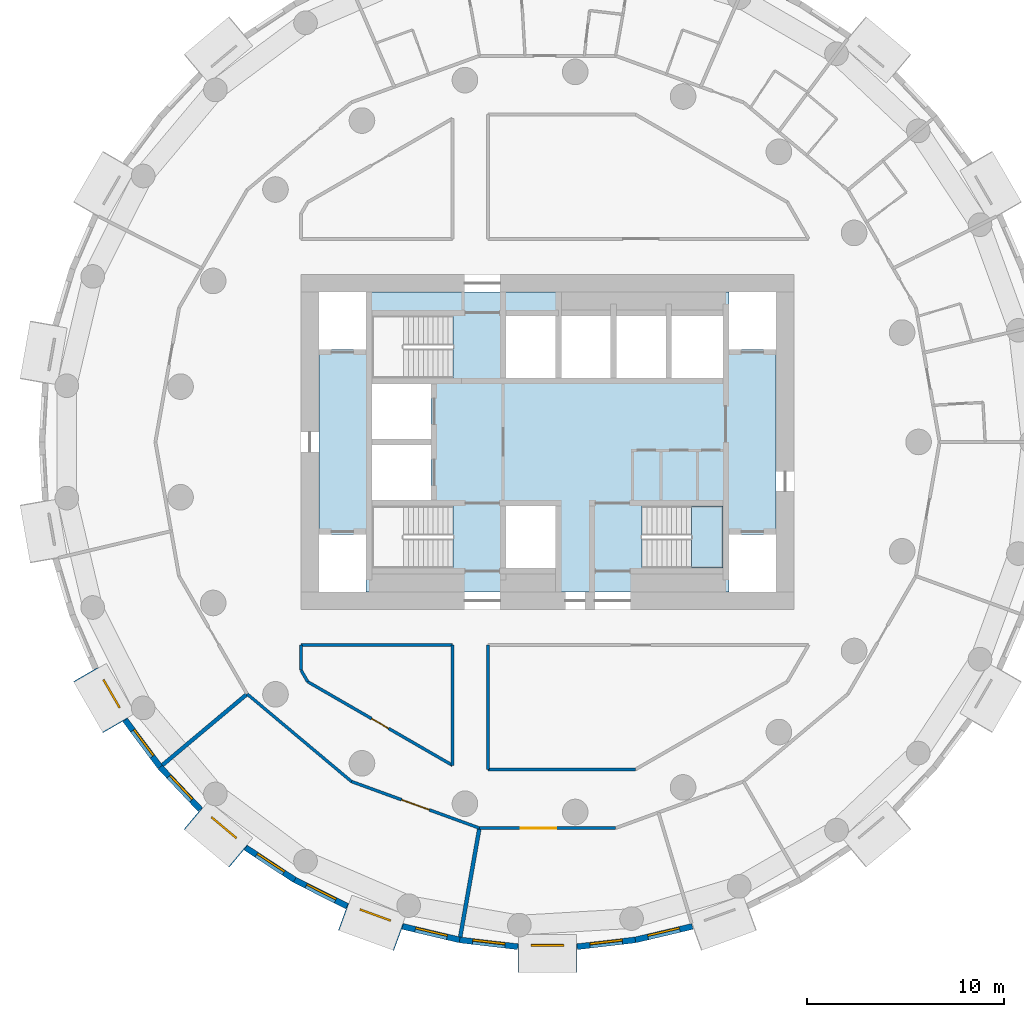
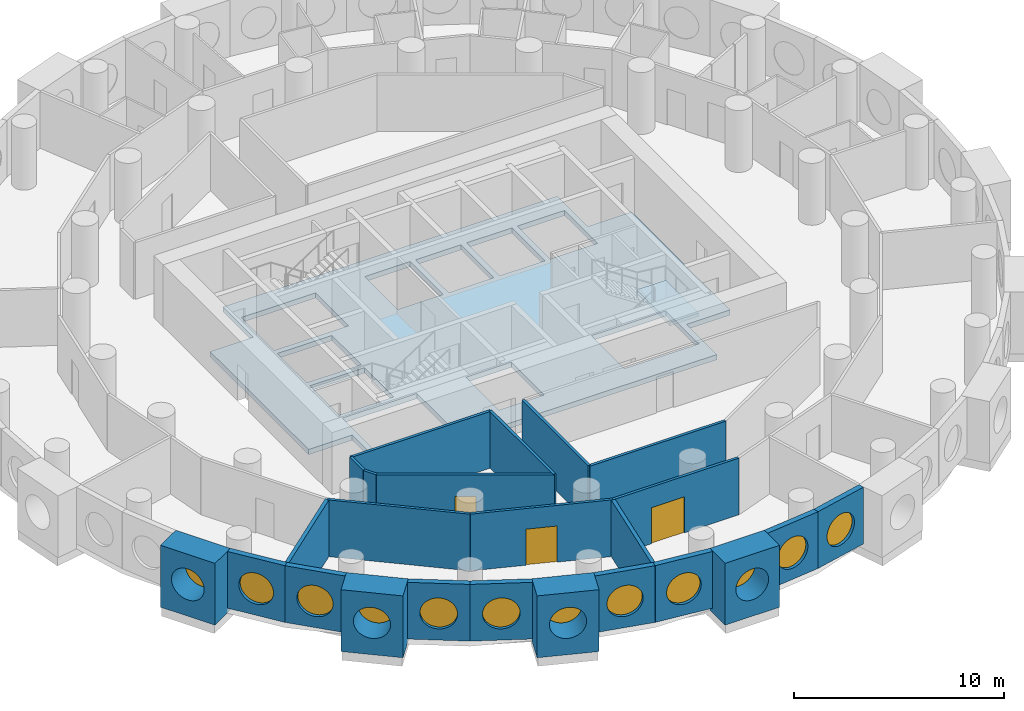
# One storey, part 2 of 10: 24 walls, 12 windows, 3 doors, 2 slabs, 15 openings, 1 element without a shape of its own.
"""IFC4 building model written with IfcOpenShell, lengths in metres."""

from ifc_helpers import new_model, si_unit, direction, frame, frame_2d, origin, origin_2d, place, context, subcontext, project, spatial, polyline, rectangle, circle, outline, extrude, material, layer, layer_set, type_object, element, fill, aggregate, save


model = new_model("IFC4")

# Units and contexts
model_context = context("Model", 3, precision=1e-05, world=origin(), true_north=direction((0.0, 1.0)))
body_context = subcontext(model_context, "Body", "Model", "MODEL_VIEW")
ifc_project = project(units=[si_unit("LENGTHUNIT", "METRE"), si_unit("AREAUNIT", "SQUARE_METRE"), si_unit("VOLUMEUNIT", "CUBIC_METRE"), si_unit("PLANEANGLEUNIT", "RADIAN"), si_unit("MASSUNIT", "GRAM", prefix="KILO")], contexts=[model_context])

# Site, building, storey
site_placement = place(None, origin())
site = spatial("IfcSite", under=ifc_project, at=site_placement, CompositionType="ELEMENT")
building_placement = place(site_placement, origin())
building = spatial("IfcBuilding", under=site, at=building_placement, Name="Tracery Tower", CompositionType="ELEMENT")
storey_placement = place(building_placement, frame((0.0, 0.0, 158.39990234375)))
storey = spatial("IfcBuildingStorey", under=building, at=storey_placement, Name="L40", CompositionType="ELEMENT", Elevation=158.39990234375)

# Slab
ifc_material_1 = material(Name="Concrete C50/60", Category="concrete")
ifc_layer_1 = layer(ifc_material_1, 0.300048828125)
ifc_layer_set_1 = layer_set([ifc_layer_1], Name="Core floor slab 300 C50")
slab_type_1 = type_object("IfcSlabType", Name="Core floor slab 300 C50", PredefinedType="FLOOR", material=ifc_layer_set_1)
slab_1_placement = place(storey_placement, frame((0.0, 0.0, -0.2998046875)))
element("IfcSlab", 1, at=slab_1_placement, inside=storey, type_object=slab_type_1, Name="L40 core floor 1", PredefinedType="FLOOR", context=body_context, shape_type="SweptSolid", body=[
    extrude(outline(polyline([(-9.199951171875, 7.60009765625), (9.199951171875, 7.60009765625), (9.199951171875, 4.699951171875), (11.60009765625, 4.699951171875), (11.60009765625, -4.699951171875), (9.199951171875, -4.699951171875), (9.199951171875, -7.60009765625), (-9.199951171875, -7.60009765625), (-9.199951171875, -4.699951171875), (-11.60009765625, -4.699951171875), (-11.60009765625, 4.699951171875), (-9.199951171875, 4.699951171875), (-9.199951171875, 7.60009765625)]), holes=[polyline([(4.800537109375, -6.39990234375), (8.89990234375, -6.39990234375), (8.89990234375, -3.25), (4.800537109375, -3.25), (4.800537109375, -6.39990234375)]), polyline([(8.89990234375, 3.25), (8.89990234375, 6.39990234375), (6.300048828125, 6.39990234375), (6.300048828125, 3.25), (8.89990234375, 3.25)]), polyline([(6.0, 3.25), (6.0, 6.39990234375), (3.5, 6.39990234375), (3.5, 3.25), (6.0, 3.25)]), polyline([(3.199951171875, 3.25), (3.199951171875, 6.39990234375), (0.699951171875, 6.39990234375), (0.699951171875, 3.25), (3.199951171875, 3.25)]), polyline([(-2.10009765625, 3.25), (0.39990234375, 3.25), (0.39990234375, 6.39990234375), (-2.10009765625, 6.39990234375), (-2.10009765625, 3.25)]), polyline([(0.39990234375, -6.39990234375), (0.39990234375, -3.25), (-2.10009765625, -3.25), (-2.10009765625, -6.39990234375), (0.39990234375, -6.39990234375)]), polyline([(-4.800537109375, -3.25), (-8.89990234375, -3.25), (-8.89990234375, -6.39990234375), (-4.800537109375, -6.39990234375), (-4.800537109375, -3.25)]), polyline([(-4.800537109375, 6.39990234375), (-8.89990234375, 6.39990234375), (-8.89990234375, 3.25), (-4.800537109375, 3.25), (-4.800537109375, 6.39990234375)]), polyline([(-5.89990234375, -2.949951171875), (-5.89990234375, -0.14990234375), (-8.89990234375, -0.14990234375), (-8.89990234375, -2.949951171875), (-5.89990234375, -2.949951171875)]), polyline([(-5.89990234375, 0.14990234375), (-5.89990234375, 2.949951171875), (-8.89990234375, 2.949951171875), (-8.89990234375, 0.14990234375), (-5.89990234375, 0.14990234375)])]), origin(), (0.0, 0.0, 1.0), 0.2998046875),
])

# Stair, slab
ifc_material_2 = material(Name="Concrete C32/40", Category="concrete")
stair_type = type_object("IfcStairType", Name="Core stair 22 risers", PredefinedType="HALF_TURN_STAIR", material=ifc_material_2)
stair_placement = place(storey_placement, origin())
stair = element("IfcStair", 2, at=stair_placement, inside=storey, type_object=stair_type, Name="L40 stair ST2", PredefinedType="HALF_TURN_STAIR")
ifc_material_3 = material(Name="Concrete C32/40", Category="concrete")
ifc_layer_2 = layer(ifc_material_3, 0.199951171875)
ifc_layer_set_2 = layer_set([ifc_layer_2], Name="Stair landing slab 200")
slab_type_2 = type_object("IfcSlabType", Name="Stair landing slab 200", PredefinedType="LANDING", material=ifc_layer_set_2)
slab_2_placement = place(storey_placement, frame((0.0, 0.0, 1.60009765625)))
slab_2 = element("IfcSlab", 3, at=slab_2_placement, type_object=slab_type_2, Name="ST2 landing 1", PredefinedType="LANDING", context=body_context, shape_type="SweptSolid", body=[
    extrude(outline(polyline([(7.29931640625, -6.39990234375), (8.89990234375, -6.39990234375), (8.89990234375, -3.25), (7.29931640625, -3.25), (7.29931640625, -6.39990234375)])), origin(), (0.0, 0.0, 1.0), 0.199951171875),
])
aggregate(stair, [slab_2])

# Wall, opening, window
ifc_material_4 = material(Name="Precast concrete C50/60", Category="concrete")
ifc_layer_3 = layer(ifc_material_4, 1.449951171875)
ifc_layer_set_3 = layer_set([ifc_layer_3], Name="Deep-set bay unit 3000 x 3600, slab edge 300")
wall_type_1 = type_object("IfcWallType", Name="Deep-set bay unit 3000 x 3600, slab edge 300", PredefinedType="ELEMENTEDWALL", material=ifc_layer_set_3)
wall_1_placement = place(storey_placement, frame((-23.421630859375, -11.79052734375, -0.2998046875), z_axis=(0.0, 0.0, 1.0), x_axis=(0.499990139034, -0.866031096941, 0.0)))
wall_1 = element("IfcWall", 4, at=wall_1_placement, inside=storey, type_object=wall_type_1, Name="Deep-set bay unit 32 at L40", PredefinedType="ELEMENTEDWALL", context=body_context, shape_type="SweptSolid", body=[
    extrude(rectangle(XDim=3.0, YDim=1.449951171875, at=frame_2d((1.5, 0.0))), origin(), (0.0, 0.0, 1.0), 3.599853515625),
])
opening_1_placement = place(wall_1_placement, frame((1.5, 0.0, 1.85009765625)))
opening_1 = element("IfcOpeningElement", 5, at=opening_1_placement, cuts=wall_1, Name="Opening WN1", PredefinedType="OPENING", context=body_context, shape_type="SweptSolid", body=[
    extrude(circle(Radius=0.9000244140625, at=origin_2d()), frame((0.0, 0.73486328125, 0.0), z_axis=(0.0, -1.0, 0.0), x_axis=(1.0, 0.0, 0.0)), (0.0, 0.0, 1.0), 1.469970703125),
])
ifc_material_5 = material(Name="Aluminium frame with tinted double glazing", Category="aluminium")
window_type = type_object("IfcWindowType", Name="Round window 1800", PartitioningType="SINGLE_PANEL", PredefinedType="WINDOW", material=ifc_material_5)
window_1_placement = place(opening_1_placement, origin())
window_1 = element("IfcWindow", 6, at=window_1_placement, inside=storey, type_object=window_type, Name="Round window 32 at L40", OverallHeight=1.800048828125, OverallWidth=1.800048828125, PartitioningType="SINGLE_PANEL", PredefinedType="WINDOW", context=body_context, shape_type="SweptSolid", body=[
    extrude(circle(Radius=0.9000244140625, at=origin_2d()), frame((0.0, 0.69482421875, 0.0), z_axis=(0.0, -1.0, 0.0), x_axis=(1.0, 0.0, 0.0)), (0.0, 0.0, 1.0), 0.10009765625),
])
fill(opening_1, window_1)

wall_2_placement = place(storey_placement, frame((-17.9765625, -19.090087890625, -0.2998046875), z_axis=(0.0, 0.0, 1.0), x_axis=(0.766022196139, -0.642814121673, 0.0)))
wall_2 = element("IfcWall", 7, at=wall_2_placement, inside=storey, type_object=wall_type_1, Name="Deep-set bay unit 35 at L40", PredefinedType="ELEMENTEDWALL", context=body_context, shape_type="SweptSolid", body=[
    extrude(rectangle(XDim=3.0, YDim=1.449951171875, at=frame_2d((1.5, 0.0))), origin(), (0.0, 0.0, 1.0), 3.599853515625),
])
opening_2_placement = place(wall_2_placement, frame((1.5, 0.0, 1.85009765625)))
opening_2 = element("IfcOpeningElement", 8, at=opening_2_placement, cuts=wall_2, Name="Opening WN1", PredefinedType="OPENING", context=body_context, shape_type="SweptSolid", body=[
    extrude(circle(Radius=0.9000244140625, at=origin_2d()), frame((0.0, 0.73486328125, 0.0), z_axis=(0.0, -1.0, 0.0), x_axis=(1.0, 0.0, 0.0)), (0.0, 0.0, 1.0), 1.469970703125),
])
window_2_placement = place(opening_2_placement, origin())
window_2 = element("IfcWindow", 9, at=window_2_placement, inside=storey, type_object=window_type, Name="Round window 35 at L40", OverallHeight=1.800048828125, OverallWidth=1.800048828125, PartitioningType="SINGLE_PANEL", PredefinedType="WINDOW", context=body_context, shape_type="SweptSolid", body=[
    extrude(circle(Radius=0.9000244140625, at=origin_2d()), frame((0.0, 0.69482421875, 0.0), z_axis=(0.0, -1.0, 0.0), x_axis=(1.0, 0.0, 0.0)), (0.0, 0.0, 1.0), 0.10009765625),
])
fill(opening_2, window_2)

wall_3_placement = place(storey_placement, frame((-10.36328125, -24.087158203125, -0.2998046875), z_axis=(0.0, 0.0, 1.0), x_axis=(0.939686455819, -0.342037080957, 0.0)))
wall_3 = element("IfcWall", 10, at=wall_3_placement, inside=storey, type_object=wall_type_1, Name="Deep-set bay unit 38 at L40", PredefinedType="ELEMENTEDWALL", context=body_context, shape_type="SweptSolid", body=[
    extrude(rectangle(XDim=3.0, YDim=1.449951171875, at=frame_2d((1.5, 0.0))), origin(), (0.0, 0.0, 1.0), 3.599853515625),
])
opening_3_placement = place(wall_3_placement, frame((1.5, 0.0, 1.85009765625)))
opening_3 = element("IfcOpeningElement", 11, at=opening_3_placement, cuts=wall_3, Name="Opening WN1", PredefinedType="OPENING", context=body_context, shape_type="SweptSolid", body=[
    extrude(circle(Radius=0.9000244140625, at=origin_2d()), frame((0.0, 0.73486328125, 0.0), z_axis=(0.0, -1.0, 0.0), x_axis=(1.0, 0.0, 0.0)), (0.0, 0.0, 1.0), 1.469970703125),
])
window_3_placement = place(opening_3_placement, origin())
window_3 = element("IfcWindow", 12, at=window_3_placement, inside=storey, type_object=window_type, Name="Round window 38 at L40", OverallHeight=1.800048828125, OverallWidth=1.800048828125, PartitioningType="SINGLE_PANEL", PredefinedType="WINDOW", context=body_context, shape_type="SweptSolid", body=[
    extrude(circle(Radius=0.9000244140625, at=origin_2d()), frame((0.0, 0.69482421875, 0.0), z_axis=(0.0, -1.0, 0.0), x_axis=(1.0, 0.0, 0.0)), (0.0, 0.0, 1.0), 0.10009765625),
])
fill(opening_3, window_3)

wall_4_placement = place(storey_placement, frame((-1.5, -26.178955078125, -0.2998046875), z_axis=(0.0, 0.0, 1.0), x_axis=(1.0, 0.0, 0.0)))
wall_4 = element("IfcWall", 13, at=wall_4_placement, inside=storey, type_object=wall_type_1, Name="Deep-set bay unit 41 at L40", PredefinedType="ELEMENTEDWALL", context=body_context, shape_type="SweptSolid", body=[
    extrude(rectangle(XDim=3.0, YDim=1.449951171875, at=frame_2d((1.5, 0.0))), origin(), (0.0, 0.0, 1.0), 3.599853515625),
])
opening_4_placement = place(wall_4_placement, frame((1.5, 0.0, 1.85009765625)))
opening_4 = element("IfcOpeningElement", 14, at=opening_4_placement, cuts=wall_4, Name="Opening WN1", PredefinedType="OPENING", context=body_context, shape_type="SweptSolid", body=[
    extrude(circle(Radius=0.9000244140625, at=origin_2d()), frame((0.0, 0.73486328125, 0.0), z_axis=(0.0, -1.0, 0.0), x_axis=(1.0, 0.0, 0.0)), (0.0, 0.0, 1.0), 1.469970703125),
])
window_4_placement = place(opening_4_placement, origin())
window_4 = element("IfcWindow", 15, at=window_4_placement, inside=storey, type_object=window_type, Name="Round window 41 at L40", OverallHeight=1.800048828125, OverallWidth=1.800048828125, PartitioningType="SINGLE_PANEL", PredefinedType="WINDOW", context=body_context, shape_type="SweptSolid", body=[
    extrude(circle(Radius=0.9000244140625, at=origin_2d()), frame((0.0, 0.69482421875, 0.0), z_axis=(0.0, -1.0, 0.0), x_axis=(1.0, 0.0, 0.0)), (0.0, 0.0, 1.0), 0.10009765625),
])
fill(opening_4, window_4)

ifc_material_6 = material(Name="Precast concrete C50/60", Category="concrete")
ifc_layer_4 = layer(ifc_material_6, 0.300048828125)
ifc_layer_set_4 = layer_set([ifc_layer_4], Name="Facade panel 3000 x 3300")
wall_type_2 = type_object("IfcWallType", Name="Facade panel 3000 x 3300", PredefinedType="SOLIDWALL", material=ifc_layer_set_4)
wall_5_placement = place(storey_placement, frame((-21.42236328125, -14.101318359375, 0.0), z_axis=(0.0, 0.0, 1.0), x_axis=(0.597197580538, -0.80209416517, 0.0)))
wall_5 = element("IfcWall", 16, at=wall_5_placement, inside=storey, type_object=wall_type_2, Name="Facade panel 33 at L40", PredefinedType="SOLIDWALL", context=body_context, shape_type="SweptSolid", body=[
    extrude(rectangle(XDim=2.972900390625, YDim=0.300048828125, at=frame_2d((1.486328125, 0.0))), origin(), (0.0, 0.0, 1.0), 3.300048828125),
])
opening_5_placement = place(wall_5_placement, frame((1.486328125, 0.0, 1.5498046875)))
opening_5 = element("IfcOpeningElement", 17, at=opening_5_placement, cuts=wall_5, Name="Opening WN1", PredefinedType="OPENING", context=body_context, shape_type="SweptSolid", body=[
    extrude(circle(Radius=0.9000244140625, at=origin_2d()), frame((0.0, 0.159912109375, 0.0), z_axis=(0.0, -1.0, 0.0), x_axis=(1.0, 0.0, 0.0)), (0.0, 0.0, 1.0), 0.320068359375),
])
window_5_placement = place(opening_5_placement, origin())
window_5 = element("IfcWindow", 18, at=window_5_placement, inside=storey, type_object=window_type, Name="Round window 33 at L40", OverallHeight=1.800048828125, OverallWidth=1.800048828125, PartitioningType="SINGLE_PANEL", PredefinedType="WINDOW", context=body_context, shape_type="SweptSolid", body=[
    extrude(circle(Radius=0.9000244140625, at=origin_2d()), frame((0.0, 0.1201171875, 0.0), z_axis=(0.0, -1.0, 0.0), x_axis=(1.0, 0.0, 0.0)), (0.0, 0.0, 1.0), 0.10009765625),
])
fill(opening_5, window_5)

wall_6_placement = place(storey_placement, frame((-19.64697265625, -16.48583984375, 0.0), z_axis=(0.0, 0.0, 1.0), x_axis=(0.686235184166, -0.727379730273, 0.0)))
wall_6 = element("IfcWall", 19, at=wall_6_placement, inside=storey, type_object=wall_type_2, Name="Facade panel 34 at L40", PredefinedType="SOLIDWALL", context=body_context, shape_type="SweptSolid", body=[
    extrude(rectangle(XDim=2.972900390625, YDim=0.300048828125, at=frame_2d((1.486328125, 0.0))), origin(), (0.0, 0.0, 1.0), 3.300048828125),
])
opening_6_placement = place(wall_6_placement, frame((1.486328125, 0.0, 1.5498046875)))
opening_6 = element("IfcOpeningElement", 20, at=opening_6_placement, cuts=wall_6, Name="Opening WN1", PredefinedType="OPENING", context=body_context, shape_type="SweptSolid", body=[
    extrude(circle(Radius=0.9000244140625, at=origin_2d()), frame((0.0, 0.159912109375, 0.0), z_axis=(0.0, -1.0, 0.0), x_axis=(1.0, 0.0, 0.0)), (0.0, 0.0, 1.0), 0.320068359375),
])
window_6_placement = place(opening_6_placement, origin())
window_6 = element("IfcWindow", 21, at=window_6_placement, inside=storey, type_object=window_type, Name="Round window 34 at L40", OverallHeight=1.800048828125, OverallWidth=1.800048828125, PartitioningType="SINGLE_PANEL", PredefinedType="WINDOW", context=body_context, shape_type="SweptSolid", body=[
    extrude(circle(Radius=0.9000244140625, at=origin_2d()), frame((0.0, 0.1201171875, 0.0), z_axis=(0.0, -1.0, 0.0), x_axis=(1.0, 0.0, 0.0)), (0.0, 0.0, 1.0), 0.10009765625),
])
fill(opening_6, window_6)

wall_7_placement = place(storey_placement, frame((-15.3076171875, -20.57763671875, 0.0), z_axis=(0.0, 0.0, 1.0), x_axis=(0.835470659512, -0.549535055382, 0.0)))
wall_7 = element("IfcWall", 22, at=wall_7_placement, inside=storey, type_object=wall_type_2, Name="Facade panel 36 at L40", PredefinedType="SOLIDWALL", context=body_context, shape_type="SweptSolid", body=[
    extrude(rectangle(XDim=2.97314453125, YDim=0.300048828125, at=frame_2d((1.486572265625, 0.0))), origin(), (0.0, 0.0, 1.0), 3.300048828125),
])
opening_7_placement = place(wall_7_placement, frame((1.486328125, 0.0, 1.5498046875)))
opening_7 = element("IfcOpeningElement", 23, at=opening_7_placement, cuts=wall_7, Name="Opening WN1", PredefinedType="OPENING", context=body_context, shape_type="SweptSolid", body=[
    extrude(circle(Radius=0.9000244140625, at=origin_2d()), frame((0.0, 0.159912109375, 0.0), z_axis=(0.0, -1.0, 0.0), x_axis=(1.0, 0.0, 0.0)), (0.0, 0.0, 1.0), 0.320068359375),
])
window_7_placement = place(opening_7_placement, origin())
window_7 = element("IfcWindow", 24, at=window_7_placement, inside=storey, type_object=window_type, Name="Round window 36 at L40", OverallHeight=1.800048828125, OverallWidth=1.800048828125, PartitioningType="SINGLE_PANEL", PredefinedType="WINDOW", context=body_context, shape_type="SweptSolid", body=[
    extrude(circle(Radius=0.9000244140625, at=origin_2d()), frame((0.0, 0.1201171875, 0.0), z_axis=(0.0, -1.0, 0.0), x_axis=(1.0, 0.0, 0.0)), (0.0, 0.0, 1.0), 0.10009765625),
])
fill(opening_7, window_7)

wall_8_placement = place(storey_placement, frame((-12.82373046875, -22.21142578125, 0.0), z_axis=(0.0, 0.0, 1.0), x_axis=(0.893637442555, -0.448789618045, 0.0)))
wall_8 = element("IfcWall", 25, at=wall_8_placement, inside=storey, type_object=wall_type_2, Name="Facade panel 37 at L40", PredefinedType="SOLIDWALL", context=body_context, shape_type="SweptSolid", body=[
    extrude(rectangle(XDim=2.972900390625, YDim=0.300048828125, at=frame_2d((1.486328125, 0.0))), origin(), (0.0, 0.0, 1.0), 3.300048828125),
])
opening_8_placement = place(wall_8_placement, frame((1.486328125, 0.0, 1.5498046875)))
opening_8 = element("IfcOpeningElement", 26, at=opening_8_placement, cuts=wall_8, Name="Opening WN1", PredefinedType="OPENING", context=body_context, shape_type="SweptSolid", body=[
    extrude(circle(Radius=0.9000244140625, at=origin_2d()), frame((0.0, 0.159912109375, 0.0), z_axis=(0.0, -1.0, 0.0), x_axis=(1.0, 0.0, 0.0)), (0.0, 0.0, 1.0), 0.320068359375),
])
window_8_placement = place(opening_8_placement, origin())
window_8 = element("IfcWindow", 27, at=window_8_placement, inside=storey, type_object=window_type, Name="Round window 37 at L40", OverallHeight=1.800048828125, OverallWidth=1.800048828125, PartitioningType="SINGLE_PANEL", PredefinedType="WINDOW", context=body_context, shape_type="SweptSolid", body=[
    extrude(circle(Radius=0.9000244140625, at=origin_2d()), frame((0.0, 0.1201171875, 0.0), z_axis=(0.0, -1.0, 0.0), x_axis=(1.0, 0.0, 0.0)), (0.0, 0.0, 1.0), 0.10009765625),
])
fill(opening_8, window_8)

wall_9_placement = place(storey_placement, frame((-7.346435546875, -24.572265625, 0.0), z_axis=(0.0, 0.0, 1.0), x_axis=(0.973049746156, -0.230595298102, 0.0)))
wall_9 = element("IfcWall", 28, at=wall_9_placement, inside=storey, type_object=wall_type_2, Name="Facade panel 39 at L40", PredefinedType="SOLIDWALL", context=body_context, shape_type="SweptSolid", body=[
    extrude(rectangle(XDim=2.972900390625, YDim=0.300048828125, at=frame_2d((1.486328125, 0.0))), origin(), (0.0, 0.0, 1.0), 3.300048828125),
])
opening_9_placement = place(wall_9_placement, frame((1.486328125, 0.0, 1.5498046875)))
opening_9 = element("IfcOpeningElement", 29, at=opening_9_placement, cuts=wall_9, Name="Opening WN1", PredefinedType="OPENING", context=body_context, shape_type="SweptSolid", body=[
    extrude(circle(Radius=0.9000244140625, at=origin_2d()), frame((0.0, 0.159912109375, 0.0), z_axis=(0.0, -1.0, 0.0), x_axis=(1.0, 0.0, 0.0)), (0.0, 0.0, 1.0), 0.320068359375),
])
window_9_placement = place(opening_9_placement, origin())
window_9 = element("IfcWindow", 30, at=window_9_placement, inside=storey, type_object=window_type, Name="Round window 39 at L40", OverallHeight=1.800048828125, OverallWidth=1.800048828125, PartitioningType="SINGLE_PANEL", PredefinedType="WINDOW", context=body_context, shape_type="SweptSolid", body=[
    extrude(circle(Radius=0.9000244140625, at=origin_2d()), frame((0.0, 0.1201171875, 0.0), z_axis=(0.0, -1.0, 0.0), x_axis=(1.0, 0.0, 0.0)), (0.0, 0.0, 1.0), 0.10009765625),
])
fill(opening_9, window_9)

wall_10_placement = place(storey_placement, frame((-4.45361328125, -25.2578125, 0.0), z_axis=(0.0, 0.0, 1.0), x_axis=(0.993235542767, -0.116116995244, 0.0)))
wall_10 = element("IfcWall", 31, at=wall_10_placement, inside=storey, type_object=wall_type_2, Name="Facade panel 40 at L40", PredefinedType="SOLIDWALL", context=body_context, shape_type="SweptSolid", body=[
    extrude(rectangle(XDim=2.972900390625, YDim=0.300048828125, at=frame_2d((1.486328125, 0.0))), origin(), (0.0, 0.0, 1.0), 3.300048828125),
])
opening_10_placement = place(wall_10_placement, frame((1.486328125, 0.0, 1.5498046875)))
opening_10 = element("IfcOpeningElement", 32, at=opening_10_placement, cuts=wall_10, Name="Opening WN1", PredefinedType="OPENING", context=body_context, shape_type="SweptSolid", body=[
    extrude(circle(Radius=0.9000244140625, at=origin_2d()), frame((0.0, 0.159912109375, 0.0), z_axis=(0.0, -1.0, 0.0), x_axis=(1.0, 0.0, 0.0)), (0.0, 0.0, 1.0), 0.320068359375),
])
window_10_placement = place(opening_10_placement, origin())
window_10 = element("IfcWindow", 33, at=window_10_placement, inside=storey, type_object=window_type, Name="Round window 40 at L40", OverallHeight=1.800048828125, OverallWidth=1.800048828125, PartitioningType="SINGLE_PANEL", PredefinedType="WINDOW", context=body_context, shape_type="SweptSolid", body=[
    extrude(circle(Radius=0.9000244140625, at=origin_2d()), frame((0.0, 0.1201171875, 0.0), z_axis=(0.0, -1.0, 0.0), x_axis=(1.0, 0.0, 0.0)), (0.0, 0.0, 1.0), 0.10009765625),
])
fill(opening_10, window_10)

wall_11_placement = place(storey_placement, frame((1.500732421875, -25.60302734375, 0.0), z_axis=(0.0, 0.0, 1.0), x_axis=(0.993235542767, 0.116116995244, 0.0)))
wall_11 = element("IfcWall", 34, at=wall_11_placement, inside=storey, type_object=wall_type_2, Name="Facade panel 42 at L40", PredefinedType="SOLIDWALL", context=body_context, shape_type="SweptSolid", body=[
    extrude(rectangle(XDim=2.972900390625, YDim=0.300048828125, at=frame_2d((1.486328125, 0.0))), origin(), (0.0, 0.0, 1.0), 3.300048828125),
])
opening_11_placement = place(wall_11_placement, frame((1.486328125, 0.0, 1.5498046875)))
opening_11 = element("IfcOpeningElement", 35, at=opening_11_placement, cuts=wall_11, Name="Opening WN1", PredefinedType="OPENING", context=body_context, shape_type="SweptSolid", body=[
    extrude(circle(Radius=0.9000244140625, at=origin_2d()), frame((0.0, 0.159912109375, 0.0), z_axis=(0.0, -1.0, 0.0), x_axis=(1.0, 0.0, 0.0)), (0.0, 0.0, 1.0), 0.320068359375),
])
window_11_placement = place(opening_11_placement, origin())
window_11 = element("IfcWindow", 36, at=window_11_placement, inside=storey, type_object=window_type, Name="Round window 42 at L40", OverallHeight=1.800048828125, OverallWidth=1.800048828125, PartitioningType="SINGLE_PANEL", PredefinedType="WINDOW", context=body_context, shape_type="SweptSolid", body=[
    extrude(circle(Radius=0.9000244140625, at=origin_2d()), frame((0.0, 0.1201171875, 0.0), z_axis=(0.0, -1.0, 0.0), x_axis=(1.0, 0.0, 0.0)), (0.0, 0.0, 1.0), 0.10009765625),
])
fill(opening_11, window_11)

wall_12_placement = place(storey_placement, frame((4.45361328125, -25.2578125, 0.0), z_axis=(0.0, 0.0, 1.0), x_axis=(0.973049746156, 0.230595298102, 0.0)))
wall_12 = element("IfcWall", 37, at=wall_12_placement, inside=storey, type_object=wall_type_2, Name="Facade panel 43 at L40", PredefinedType="SOLIDWALL", context=body_context, shape_type="SweptSolid", body=[
    extrude(rectangle(XDim=2.972900390625, YDim=0.300048828125, at=frame_2d((1.486328125, 0.0))), origin(), (0.0, 0.0, 1.0), 3.300048828125),
])
opening_12_placement = place(wall_12_placement, frame((1.486328125, 0.0, 1.5498046875)))
opening_12 = element("IfcOpeningElement", 38, at=opening_12_placement, cuts=wall_12, Name="Opening WN1", PredefinedType="OPENING", context=body_context, shape_type="SweptSolid", body=[
    extrude(circle(Radius=0.9000244140625, at=origin_2d()), frame((0.0, 0.159912109375, 0.0), z_axis=(0.0, -1.0, 0.0), x_axis=(1.0, 0.0, 0.0)), (0.0, 0.0, 1.0), 0.320068359375),
])
window_12_placement = place(opening_12_placement, origin())
window_12 = element("IfcWindow", 39, at=window_12_placement, inside=storey, type_object=window_type, Name="Round window 43 at L40", OverallHeight=1.800048828125, OverallWidth=1.800048828125, PartitioningType="SINGLE_PANEL", PredefinedType="WINDOW", context=body_context, shape_type="SweptSolid", body=[
    extrude(circle(Radius=0.9000244140625, at=origin_2d()), frame((0.0, 0.1201171875, 0.0), z_axis=(0.0, -1.0, 0.0), x_axis=(1.0, 0.0, 0.0)), (0.0, 0.0, 1.0), 0.10009765625),
])
fill(opening_12, window_12)

# Walls
ifc_material_7 = material(Name="Plasterboard on steel studs", Category="steel")
ifc_layer_5 = layer(ifc_material_7, 0.14990234375)
ifc_layer_set_5 = layer_set([ifc_layer_5], Name="Partition 150 corridor wall")
wall_type_3 = type_object("IfcWallType", Name="Partition 150 corridor wall", PredefinedType="PARTITIONING", material=ifc_layer_set_5)
wall_13_placement = place(storey_placement, frame((-12.50390625, -10.300048828125, 0.0), z_axis=(0.0, 0.0, 1.0), x_axis=(1.0, 0.0, 0.0)))
element("IfcWall", 40, at=wall_13_placement, inside=storey, type_object=wall_type_3, Name="Corridor wall RB4-003", PredefinedType="PARTITIONING", context=body_context, shape_type="SweptSolid", body=[
    extrude(rectangle(XDim=7.68701171875, YDim=0.14990234375, at=frame_2d((3.843505859375, 0.0))), origin(), (0.0, 0.0, 1.0), 3.300048828125),
])
wall_14_placement = place(storey_placement, frame((-12.5, -11.576904296875, 0.0), z_axis=(0.0, 0.0, 1.0), x_axis=(0.0, 1.0, 0.0)))
element("IfcWall", 41, at=wall_14_placement, inside=storey, type_object=wall_type_3, Name="Corridor wall RB4-024", PredefinedType="PARTITIONING", context=body_context, shape_type="SweptSolid", body=[
    extrude(rectangle(XDim=1.27685546875, YDim=0.14990234375, at=frame_2d((0.638427734375, 0.0))), origin(), (0.0, 0.0, 1.0), 3.300048828125),
])
wall_15_placement = place(storey_placement, frame((-12.5, -11.576904296875, 0.0), z_axis=(0.0, 0.0, 1.0), x_axis=(0.500024767483, -0.866011103799, 0.0)))
element("IfcWall", 42, at=wall_15_placement, inside=storey, type_object=wall_type_3, Name="Corridor wall RB4-025", PredefinedType="PARTITIONING", context=body_context, shape_type="SweptSolid", body=[
    extrude(rectangle(XDim=0.67578125, YDim=0.14990234375, at=frame_2d((0.337890625, 0.0))), origin(), (0.0, 0.0, 1.0), 3.300048828125),
])
wall_16_placement = place(storey_placement, frame((-15.235107421875, -12.783935546875, 0.0), z_axis=(0.0, 0.0, 1.0), x_axis=(0.766192104565, -0.642611592567, 0.0)))
element("IfcWall", 43, at=wall_16_placement, inside=storey, type_object=wall_type_3, Name="Corridor wall RB4-030", PredefinedType="PARTITIONING", context=body_context, shape_type="SweptSolid", body=[
    extrude(rectangle(XDim=6.906494140625, YDim=0.14990234375, at=frame_2d((3.453125, 0.0))), origin(), (0.0, 0.0, 1.0), 3.300048828125),
])

# Wall, opening, door
wall_17_placement = place(storey_placement, frame((-12.162109375, -12.162109375, 0.0), z_axis=(0.0, 0.0, 1.0), x_axis=(0.866004766557, -0.500035743023, 0.0)))
wall_17 = element("IfcWall", 44, at=wall_17_placement, inside=storey, type_object=wall_type_3, Name="Corridor wall RB4-031", PredefinedType="PARTITIONING", context=body_context, shape_type="SweptSolid", body=[
    extrude(rectangle(XDim=8.47705078125, YDim=0.14990234375, at=frame_2d((4.238525390625, 0.0))), origin(), (0.0, 0.0, 1.0), 3.300048828125),
])
opening_13_placement = place(wall_17_placement, frame((3.738037109375, 0.0, 0.0)))
opening_13 = element("IfcOpeningElement", 45, at=opening_13_placement, cuts=wall_17, Name="Opening RB4-03", PredefinedType="OPENING", context=body_context, shape_type="SweptSolid", body=[
    extrude(rectangle(XDim=1.0, YDim=2.0400390625, at=frame_2d((0.5, 1.02001953125))), frame((0.0, 0.074951171875, 0.0), z_axis=(0.0, -1.0, 0.0), x_axis=(1.0, 0.0, 0.0)), (0.0, 0.0, 1.0), 0.14990234375),
])
ifc_material_8 = material(Name="Timber door leaf", Category="wood")
door_type_1 = type_object("IfcDoorType", Name="Door communal room 1000", OperationType="NOTDEFINED", PredefinedType="DOOR", material=ifc_material_8)
door_1_placement = place(opening_13_placement, origin())
door_1 = element("IfcDoor", 46, at=door_1_placement, inside=storey, type_object=door_type_1, Name="Communal room door RB4-03", OperationType="SINGLE_SWING_LEFT", OverallHeight=2.0400390625, OverallWidth=1.0, PredefinedType="DOOR", context=body_context, shape_type="SweptSolid", body=[
    extrude(rectangle(XDim=1.0, YDim=2.0400390625, at=frame_2d((0.5, 1.02001953125))), frame((0.0, 0.02490234375, 0.0), z_axis=(0.0, -1.0, 0.0), x_axis=(1.0, 0.0, 0.0)), (0.0, 0.0, 1.0), 0.050048828125),
])
fill(opening_13, door_1)

# Walls
wall_18_placement = place(storey_placement, frame((-4.821044921875, -16.40087890625, 0.0), z_axis=(0.0, 0.0, 1.0), x_axis=(0.0, 1.0, 0.0)))
element("IfcWall", 47, at=wall_18_placement, inside=storey, type_object=wall_type_3, Name="Corridor wall RB4-032", PredefinedType="PARTITIONING", context=body_context, shape_type="SweptSolid", body=[
    extrude(rectangle(XDim=6.100830078125, YDim=0.14990234375, at=frame_2d((3.05029296875, 0.0))), origin(), (0.0, 0.0, 1.0), 3.300048828125),
])
wall_19_placement = place(storey_placement, frame((-3.02099609375, -16.614013671875, 0.0), z_axis=(0.0, 0.0, 1.0), x_axis=(0.0, 1.0, 0.0)))
element("IfcWall", 48, at=wall_19_placement, inside=storey, type_object=wall_type_3, Name="Corridor wall RB4-033", PredefinedType="PARTITIONING", context=body_context, shape_type="SweptSolid", body=[
    extrude(rectangle(XDim=6.31396484375, YDim=0.14990234375, at=frame_2d((3.156982421875, 0.0))), origin(), (0.0, 0.0, 1.0), 3.300048828125),
])
wall_20_placement = place(storey_placement, frame((-3.02099609375, -16.614013671875, 0.0), z_axis=(0.0, 0.0, 1.0), x_axis=(1.0, 0.0, 0.0)))
element("IfcWall", 49, at=wall_20_placement, inside=storey, type_object=wall_type_3, Name="Corridor wall RB4-034", PredefinedType="PARTITIONING", context=body_context, shape_type="SweptSolid", body=[
    extrude(rectangle(XDim=7.472900390625, YDim=0.14990234375, at=frame_2d((3.736328125, 0.0))), origin(), (0.0, 0.0, 1.0), 3.300048828125),
])

# Wall, opening, door
wall_21_placement = place(storey_placement, frame((-9.944091796875, -17.222900390625, 0.0), z_axis=(0.0, 0.0, 1.0), x_axis=(0.939672634566, -0.342075050021, 0.0)))
wall_21 = element("IfcWall", 50, at=wall_21_placement, inside=storey, type_object=wall_type_3, Name="Corridor wall RB4-036", PredefinedType="PARTITIONING", context=body_context, shape_type="SweptSolid", body=[
    extrude(rectangle(XDim=6.907958984375, YDim=0.14990234375, at=frame_2d((3.4541015625, 0.0))), origin(), (0.0, 0.0, 1.0), 3.300048828125),
])
opening_14_placement = place(wall_21_placement, frame((2.70361328125, 0.0, 0.0)))
opening_14 = element("IfcOpeningElement", 51, at=opening_14_placement, cuts=wall_21, Name="Opening RB4-25", PredefinedType="OPENING", context=body_context, shape_type="SweptSolid", body=[
    extrude(rectangle(XDim=1.5, YDim=2.10009765625, at=frame_2d((0.75, 1.050048828125))), frame((0.0, 0.074951171875, 0.0), z_axis=(0.0, -1.0, 0.0), x_axis=(1.0, 0.0, 0.0)), (0.0, 0.0, 1.0), 0.14990234375),
])
ifc_material_9 = material(Name="Timber door leaf", Category="wood")
door_type_2 = type_object("IfcDoorType", Name="Door double kitchen 1500", OperationType="NOTDEFINED", PredefinedType="DOOR", material=ifc_material_9)
door_2_placement = place(opening_14_placement, origin())
door_2 = element("IfcDoor", 52, at=door_2_placement, inside=storey, type_object=door_type_2, Name="Double kitchen door RB4-25", OperationType="DOUBLE_DOOR_SINGLE_SWING", OverallHeight=2.10009765625, OverallWidth=1.5, PredefinedType="DOOR", context=body_context, shape_type="SweptSolid", body=[
    extrude(rectangle(XDim=1.5, YDim=2.10009765625, at=frame_2d((0.75, 1.050048828125))), frame((0.0, 0.02490234375, 0.0), z_axis=(0.0, -1.0, 0.0), x_axis=(1.0, 0.0, 0.0)), (0.0, 0.0, 1.0), 0.050048828125),
])
fill(opening_14, door_2)

wall_22_placement = place(storey_placement, frame((-3.452880859375, -19.5859375, 0.0), z_axis=(0.0, 0.0, 1.0), x_axis=(1.0, 0.0, 0.0)))
wall_22 = element("IfcWall", 53, at=wall_22_placement, inside=storey, type_object=wall_type_3, Name="Corridor wall RB4-038", PredefinedType="PARTITIONING", context=body_context, shape_type="SweptSolid", body=[
    extrude(rectangle(XDim=6.90576171875, YDim=0.14990234375, at=frame_2d((3.452880859375, 0.0))), origin(), (0.0, 0.0, 1.0), 3.300048828125),
])
opening_15_placement = place(wall_22_placement, frame((2.10302734375, 0.0, 0.0)))
opening_15 = element("IfcOpeningElement", 54, at=opening_15_placement, cuts=wall_22, Name="Opening RB4-26", PredefinedType="OPENING", context=body_context, shape_type="SweptSolid", body=[
    extrude(rectangle(XDim=1.800048828125, YDim=2.10009765625, at=frame_2d((0.89990234375, 1.050048828125))), frame((0.0, 0.074951171875, 0.0), z_axis=(0.0, -1.0, 0.0), x_axis=(1.0, 0.0, 0.0)), (0.0, 0.0, 1.0), 0.14990234375),
])
ifc_material_10 = material(Name="Timber door leaf", Category="wood")
door_type_3 = type_object("IfcDoorType", Name="Door double lounge 1800", OperationType="NOTDEFINED", PredefinedType="DOOR", material=ifc_material_10)
door_3_placement = place(opening_15_placement, origin())
door_3 = element("IfcDoor", 55, at=door_3_placement, inside=storey, type_object=door_type_3, Name="Double lounge door RB4-26", OperationType="DOUBLE_DOOR_SINGLE_SWING", OverallHeight=2.10009765625, OverallWidth=1.800048828125, PredefinedType="DOOR", context=body_context, shape_type="SweptSolid", body=[
    extrude(rectangle(XDim=1.800048828125, YDim=2.10009765625, at=frame_2d((0.89990234375, 1.050048828125))), frame((0.0, 0.02490234375, 0.0), z_axis=(0.0, -1.0, 0.0), x_axis=(1.0, 0.0, 0.0)), (0.0, 0.0, 1.0), 0.050048828125),
])
fill(opening_15, door_3)

# Walls
ifc_material_11 = material(Name="Plasterboard on steel studs", Category="steel")
ifc_layer_6 = layer(ifc_material_11, 0.199951171875)
ifc_layer_set_6 = layer_set([ifc_layer_6], Name="Partition 200 compartment wall")
wall_type_4 = type_object("IfcWallType", Name="Partition 200 compartment wall", PredefinedType="PARTITIONING", material=ifc_layer_set_6)
wall_23_placement = place(storey_placement, frame((-19.531982421875, -16.388916015625, 0.0), z_axis=(0.0, 0.0, 1.0), x_axis=(0.76609059793, 0.642732600514, 0.0)))
element("IfcWall", 56, at=wall_23_placement, inside=storey, type_object=wall_type_4, Name="Compartment wall RB4-071", PredefinedType="PARTITIONING", context=body_context, shape_type="SweptSolid", body=[
    extrude(rectangle(XDim=5.60888671875, YDim=0.199951171875, at=frame_2d((2.804443359375, 0.0))), origin(), (0.0, 0.0, 1.0), 3.300048828125),
])
wall_24_placement = place(storey_placement, frame((-4.427978515625, -25.110107421875, 0.0), z_axis=(0.0, 0.0, 1.0), x_axis=(0.17382754149, 0.984776109489, 0.0)))
element("IfcWall", 57, at=wall_24_placement, inside=storey, type_object=wall_type_4, Name="Compartment wall RB4-072", PredefinedType="PARTITIONING", context=body_context, shape_type="SweptSolid", body=[
    extrude(rectangle(XDim=5.609619140625, YDim=0.199951171875, at=frame_2d((2.8046875, 0.0))), origin(), (0.0, 0.0, 1.0), 3.300048828125),
])

save(model, "model.ifc")
